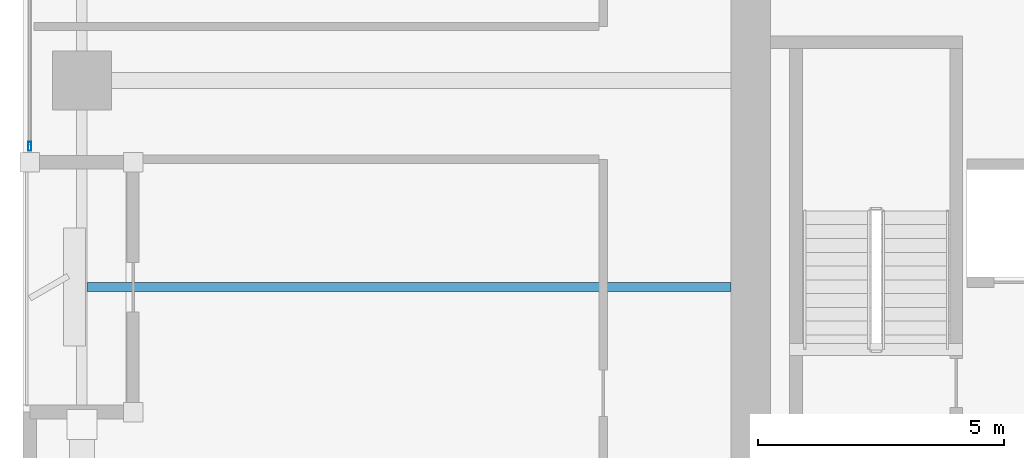
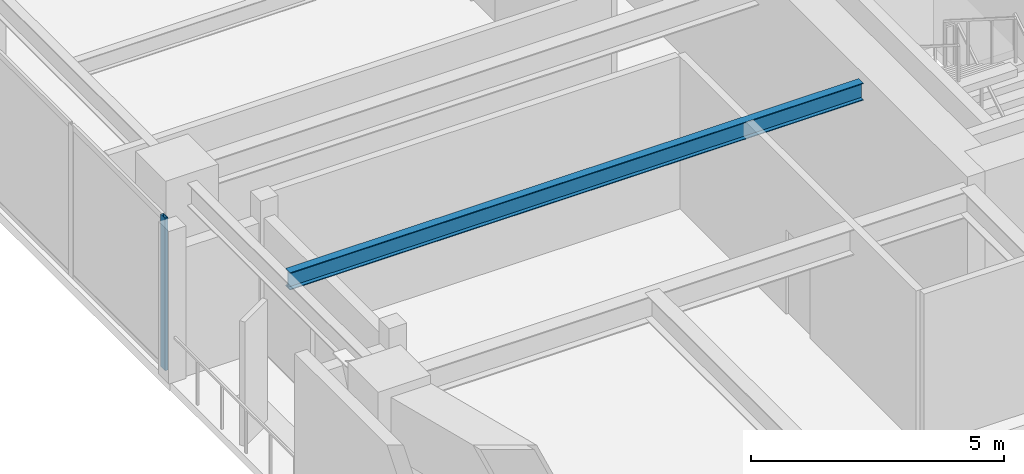
# One storey, part 2 of 30: 1 beam, 1 member, 1 element without a shape of its own.
"""IFC4 building model written with IfcOpenShell, lengths in metres."""

import ifcopenshell
import ifcopenshell.guid

model = None  # the IFC model being written
_history = None  # IfcOwnerHistory: only IFC2X3 demands one
_inside = {}  # id of a spatial element -> (the spatial element, [elements in it])
_under = {}  # id of a project, library or spatial element -> (it, [spatial elements below it])
_declared = {}  # id of a project -> (the project, [libraries it declares])
_typed = {}  # id of a type object -> (the type object, [elements of that type])
_made_of = {}  # id of a material, layer set ... -> (it, [elements and type objects made of it])


def new_model(schema):
    """Start an empty IFC model of exactly this schema.

    Asked for "IFC4X3", IfcOpenShell would pick the latest addendum, in which some entities
    have other attributes; the version numbers below select the first issue.
    IFC2X3 requires an IfcOwnerHistory on every rooted entity: one is made here for all.
    """
    global model, _history
    if schema == "IFC4X3":
        model = ifcopenshell.file(schema_version=(4, 3, 0, 0))
    else:
        model = ifcopenshell.file(schema=schema)
    _inside.clear()
    _under.clear()
    _declared.clear()
    _typed.clear()
    _made_of.clear()
    _history = None
    if model.schema == "IFC2X3":
        org = make("IfcOrganization", Name="unknown")
        user = make(
            "IfcPersonAndOrganization",
            ThePerson=make("IfcPerson", FamilyName="unknown"),
            TheOrganization=org,
        )
        app = make(
            "IfcApplication",
            ApplicationDeveloper=org,
            Version="unknown",
            ApplicationFullName="unknown",
            ApplicationIdentifier="unknown",
        )
        _history = make(
            "IfcOwnerHistory",
            OwningUser=user,
            OwningApplication=app,
            ChangeAction="ADDED",
            CreationDate=0,
        )
    return model


def make(cls, **values):
    """One entity of the class cls with the attributes given. An attribute that is None is left unset."""
    return model.create_entity(
        cls, **{name: value for name, value in values.items() if value is not None}
    )


def rooted(cls, **values):
    """An entity with a GlobalId (a new one), such as an element, a storey or a relation."""
    return make(cls, GlobalId=ifcopenshell.guid.new(), OwnerHistory=_history, **values)


def si_unit(unit_type, name, prefix=None):
    """IfcSIUnit, for example si_unit("LENGTHUNIT", "METRE", prefix="MILLI")."""
    return make("IfcSIUnit", UnitType=unit_type, Prefix=prefix, Name=name)


def assignment(units):
    """IfcUnitAssignment: the units of a project."""
    return None if units is None else make("IfcUnitAssignment", Units=units)


def point(xyz):
    """IfcCartesianPoint."""
    return None if xyz is None else make("IfcCartesianPoint", Coordinates=xyz)


def direction(xyz):
    """IfcDirection."""
    return None if xyz is None else make("IfcDirection", DirectionRatios=xyz)


def frame(location, z_axis=None, x_axis=None):
    """IfcAxis2Placement3D, a coordinate frame: its origin and axes. An axis left out is left unset."""
    return make(
        "IfcAxis2Placement3D",
        Location=point(location),
        Axis=direction(z_axis),
        RefDirection=direction(x_axis),
    )


def frame_2d(location, x_axis=None):
    """IfcAxis2Placement2D, a coordinate frame in the plane: its origin and x axis."""
    return make(
        "IfcAxis2Placement2D", Location=point(location), RefDirection=direction(x_axis)
    )


def origin():
    """The frame at (0, 0, 0) with its axes left unset."""
    return frame((0.0, 0.0, 0.0))


def origin_2d():
    """The frame at (0, 0) in the plane with its x axis left unset."""
    return frame_2d((0.0, 0.0))


def place(relative_to, where):
    """IfcLocalPlacement: puts the frame where relative to a parent placement (None: the world)."""
    return make(
        "IfcLocalPlacement", PlacementRelTo=relative_to, RelativePlacement=where
    )


def context(
    kind, dimensions, precision=None, world=None, true_north=None, identifier=None
):
    """IfcGeometricRepresentationContext, for example the 3D "Model" context."""
    return make(
        "IfcGeometricRepresentationContext",
        ContextIdentifier=identifier,
        ContextType=kind,
        CoordinateSpaceDimension=dimensions,
        Precision=precision,
        WorldCoordinateSystem=world,
        TrueNorth=true_north,
    )


def subcontext(parent, identifier, kind, view, scale=None):
    """IfcGeometricRepresentationSubContext, for example "Body" below "Model"."""
    return make(
        "IfcGeometricRepresentationSubContext",
        ContextIdentifier=identifier,
        ContextType=kind,
        ParentContext=parent,
        TargetScale=scale,
        TargetView=view,
    )


def project(units=None, contexts=None):
    """IfcProject with its units and contexts."""
    return rooted(
        "IfcProject",
        Name="project",
        RepresentationContexts=contexts,
        UnitsInContext=assignment(units),
    )


def spatial(cls, under=None, at=None, **own):
    """A site, building, storey or space (cls), placed at a placement, below another one or the project."""
    s = rooted(cls, ObjectPlacement=at, **own)
    if under is not None:
        _under.setdefault(under.id(), (under, []))[1].append(s)
    return s


def profile(cls, at=None, kind="AREA", **sizes):
    """A parametric profile (cls). Its sizes go by their IFC names, for example OverallWidth=200.0."""
    return make(cls, ProfileType=kind, Position=at, **sizes)


def hollow_rectangle(**sizes):
    """IfcRectangleHollowProfileDef."""
    return profile("IfcRectangleHollowProfileDef", **sizes)


def i_section(**sizes):
    """IfcIShapeProfileDef."""
    return profile("IfcIShapeProfileDef", **sizes)


def extrude(swept, where, along, depth):
    """IfcExtrudedAreaSolid: the profile swept, set in the frame where, extruded along a direction by depth."""
    return make(
        "IfcExtrudedAreaSolid",
        SweptArea=swept,
        Position=where,
        ExtrudedDirection=direction(along),
        Depth=depth,
    )


def shape(context_of_items, identifier, shape_type, items):
    """IfcShapeRepresentation: the items that make up one representation, for example the "Body"."""
    return make(
        "IfcShapeRepresentation",
        ContextOfItems=context_of_items,
        RepresentationIdentifier=identifier,
        RepresentationType=shape_type,
        Items=items,
    )


def material(Name=None, Category=None):
    """IfcMaterial."""
    return make("IfcMaterial", Name=Name, Category=Category)


def layer(
    of_material, thickness, ventilated=None, Name=None, Category=None, Priority=None
):
    """IfcMaterialLayer: one layer of a wall or slab, of a material (None: an air gap)."""
    return make(
        "IfcMaterialLayer",
        Material=of_material,
        LayerThickness=thickness,
        IsVentilated=ventilated,
        Name=Name,
        Category=Category,
        Priority=Priority,
    )


def layer_set(layers, Name=None):
    """IfcMaterialLayerSet."""
    return make("IfcMaterialLayerSet", MaterialLayers=layers, LayerSetName=Name)


def material_profile(
    of_material, cross_section, Name=None, Category=None, Priority=None
):
    """IfcMaterialProfile: a cross section and its material."""
    return make(
        "IfcMaterialProfile",
        Name=Name,
        Material=of_material,
        Profile=cross_section,
        Priority=Priority,
        Category=Category,
    )


def profile_set(profiles, Name=None, composite=None):
    """IfcMaterialProfileSet."""
    return make(
        "IfcMaterialProfileSet",
        Name=Name,
        MaterialProfiles=profiles,
        CompositeProfile=composite,
    )


def made_of(thing, what):
    """Note that an element or type object is made of a material, layer set ...; save() writes the relation."""
    if what is not None:
        _made_of.setdefault(what.id(), (what, []))[1].append(thing)
    return thing


def type_object(cls, material=None, **own):
    """A type object (cls), such as IfcWallType, which elements share."""
    return made_of(rooted(cls, **own), material)


def element(
    cls,
    number,
    at=None,
    inside=None,
    cuts=None,
    type_object=None,
    material=None,
    context=None,
    identifier="Body",
    shape_type=None,
    held_by="IfcProductDefinitionShape",
    body=None,
    shapes=None,
    **own,
):
    """One element of the class cls, such as IfcWall. Its Tag is "e" and its number.

    at: its placement. inside: the storey or other place that contains it. cuts: it is an
    opening in that element (IfcRelVoidsElement). A single representation is given by context,
    identifier, shape_type and body (its items); several are given by shapes. held_by: the class
    of the entity that holds the representations. save() writes the other relations.
    """
    e = rooted(cls, Tag="e%d" % number, ObjectPlacement=at, **own)
    if body is not None:
        shapes = [shape(context, identifier, shape_type, body)]
    if shapes is not None:
        e.Representation = make(held_by, Representations=shapes)
    if inside is not None:
        _inside.setdefault(inside.id(), (inside, []))[1].append(e)
    if cuts is not None:
        rooted(
            "IfcRelVoidsElement", RelatingBuildingElement=cuts, RelatedOpeningElement=e
        )
    if type_object is not None:
        _typed.setdefault(type_object.id(), (type_object, []))[1].append(e)
    return made_of(e, material)


def aggregate(whole, parts):
    """IfcRelAggregates: a whole, such as a stair, and the parts it consists of."""
    return rooted("IfcRelAggregates", RelatingObject=whole, RelatedObjects=parts)


def save(model, path):
    """Write the relations noted so far, then the file.

    IfcRelAggregates (storeys below a building ...), IfcRelContainedInSpatialStructure (elements
    in a storey), IfcRelDefinesByType, IfcRelAssociatesMaterial and IfcRelDeclares: one each for
    every whole, place, type object, material and project.
    """
    for whole, parts in _under.values():
        aggregate(whole, parts)
    for where, things in _inside.values():
        rooted(
            "IfcRelContainedInSpatialStructure",
            RelatedElements=things,
            RelatingStructure=where,
        )
    for kind, things in _typed.values():
        rooted("IfcRelDefinesByType", RelatedObjects=things, RelatingType=kind)
    for what, things in _made_of.values():
        rooted("IfcRelAssociatesMaterial", RelatedObjects=things, RelatingMaterial=what)
    for by, libraries in _declared.values():
        rooted("IfcRelDeclares", RelatingContext=by, RelatedDefinitions=libraries)
    model.write(path)


model = new_model("IFC4")

# Units and contexts
model_context = context("Model", 3, precision=1e-05, world=origin(), true_north=direction((0.0, 1.0)))
body_context = subcontext(model_context, "Body", "Model", "MODEL_VIEW")
ifc_project = project(units=[si_unit("LENGTHUNIT", "METRE"), si_unit("AREAUNIT", "SQUARE_METRE"), si_unit("VOLUMEUNIT", "CUBIC_METRE"), si_unit("PLANEANGLEUNIT", "RADIAN"), si_unit("MASSUNIT", "GRAM", prefix="KILO")], contexts=[model_context])

# Site, building, storey
site_placement = place(None, origin())
site = spatial("IfcSite", under=ifc_project, at=site_placement, CompositionType="ELEMENT")
building_placement = place(site_placement, origin())
building = spatial("IfcBuilding", under=site, at=building_placement, Name="Kiyonajd Concourse Tower", CompositionType="ELEMENT")
storey_placement = place(building_placement, frame((0.0, 0.0, 170.10009765625)))
storey = spatial("IfcBuildingStorey", under=building, at=storey_placement, Name="L43", CompositionType="ELEMENT", Elevation=170.10009765625)

# Beam
ifc_material_1 = material(Name="Steel ASTM A992 Grade 50", Category="steel")
ifc_material_profile_1 = material_profile(ifc_material_1, i_section(OverallWidth=0.180908203125, OverallDepth=0.4169921875, WebThickness=0.010986328125, FlangeThickness=0.018310546875, at=origin_2d()), Name="W410X85")
ifc_profile_set_1 = profile_set([ifc_material_profile_1], Name="Steel ASTM A992 Grade 50")
beam_type = type_object("IfcBeamType", Name="BM-JST-410", PredefinedType="JOIST", material=ifc_profile_set_1)
beam_placement = place(storey_placement, frame((19.306884765625, 31.800048828125, 3.471435546875), z_axis=(1.0, 0.0, 0.0), x_axis=(0.0, 1.0, 0.0)))
element("IfcBeam", 1, at=beam_placement, inside=storey, type_object=beam_type, Name="L43 West Secondary Floor Joist", PredefinedType="JOIST", context=body_context, shape_type="SweptSolid", body=[
    extrude(i_section(OverallWidth=0.180908203125, OverallDepth=0.4169921875, WebThickness=0.010986328125, FlangeThickness=0.018310546875, at=origin_2d()), origin(), (0.0, 0.0, 1.0), 13.093017578125),
])

# Curtain wall, member
ifc_material_2 = material(Name="Thermally Broken Anodised Aluminium", Category="aluminium")
ifc_layer = layer(ifc_material_2, 0.179931640625)
ifc_layer_set = layer_set([ifc_layer], Name="Thermally Broken Anodised Aluminium")
curtain_wall_type = type_object("IfcCurtainWallType", Name="CW-SYS-03", PredefinedType="NOTDEFINED", material=ifc_layer_set)
curtain_wall_placement = place(storey_placement, origin())
curtain_wall = element("IfcCurtainWall", 2, at=curtain_wall_placement, inside=storey, type_object=curtain_wall_type, Name="L43 Unitised Curtain Wall CW3", PredefinedType="NOTDEFINED")
ifc_material_profile_2 = material_profile(ifc_material_2, hollow_rectangle(XDim=0.06494140625, YDim=0.179931640625, WallThickness=0.00390625, at=origin_2d()), Name="MULL-65x180")
ifc_profile_set_2 = profile_set([ifc_material_profile_2], Name="Thermally Broken Anodised Aluminium")
member_type = type_object("IfcMemberType", Name="MB-CW-MULL1", PredefinedType="MULLION", material=ifc_profile_set_2)
member_placement = place(storey_placement, frame((18.139892578125, 34.66259765625, 0.0), z_axis=(0.0, 0.0, 1.0), x_axis=(-1.0, 0.0, 0.0)))
member = element("IfcMember", 3, at=member_placement, type_object=member_type, Name="CW3 mullion 1", PredefinedType="MULLION", context=body_context, shape_type="SweptSolid", body=[
    extrude(hollow_rectangle(XDim=0.06494140625, YDim=0.179931640625, WallThickness=0.00390625, at=origin_2d()), origin(), (0.0, 0.0, 1.0), 3.679931640625),
])
aggregate(curtain_wall, [member])

save(model, "model.ifc")
